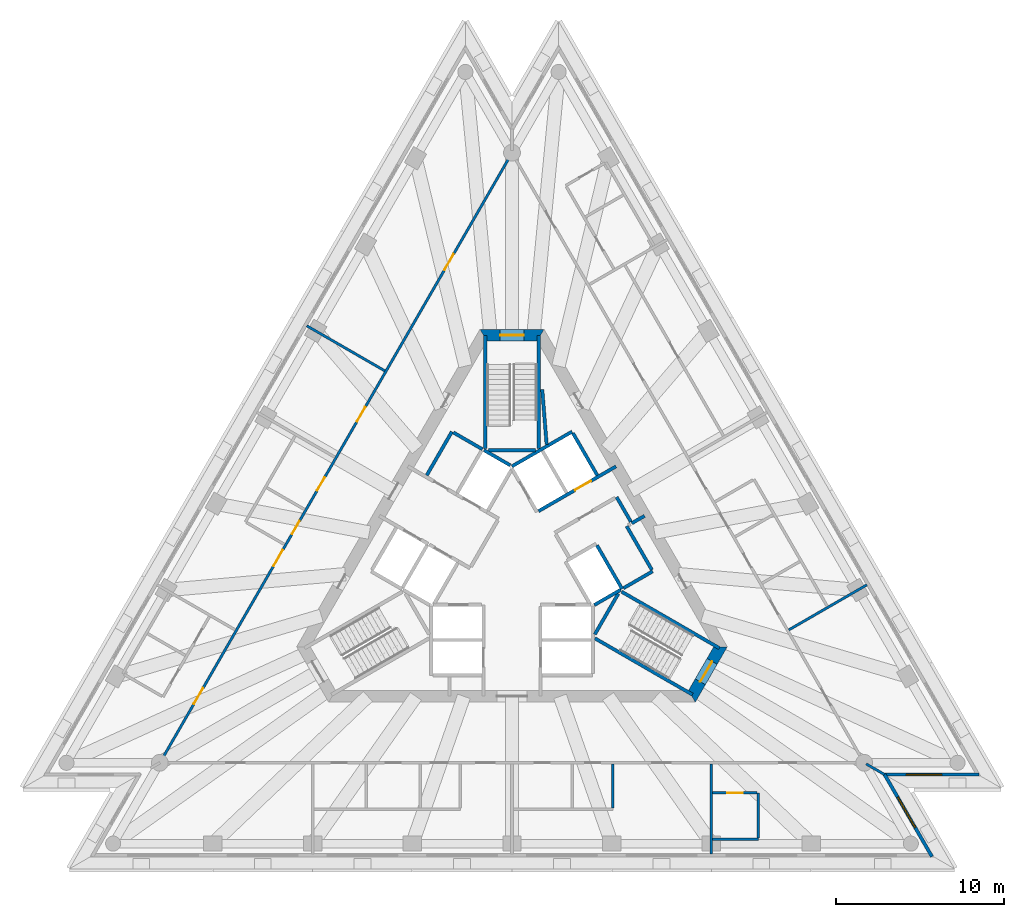
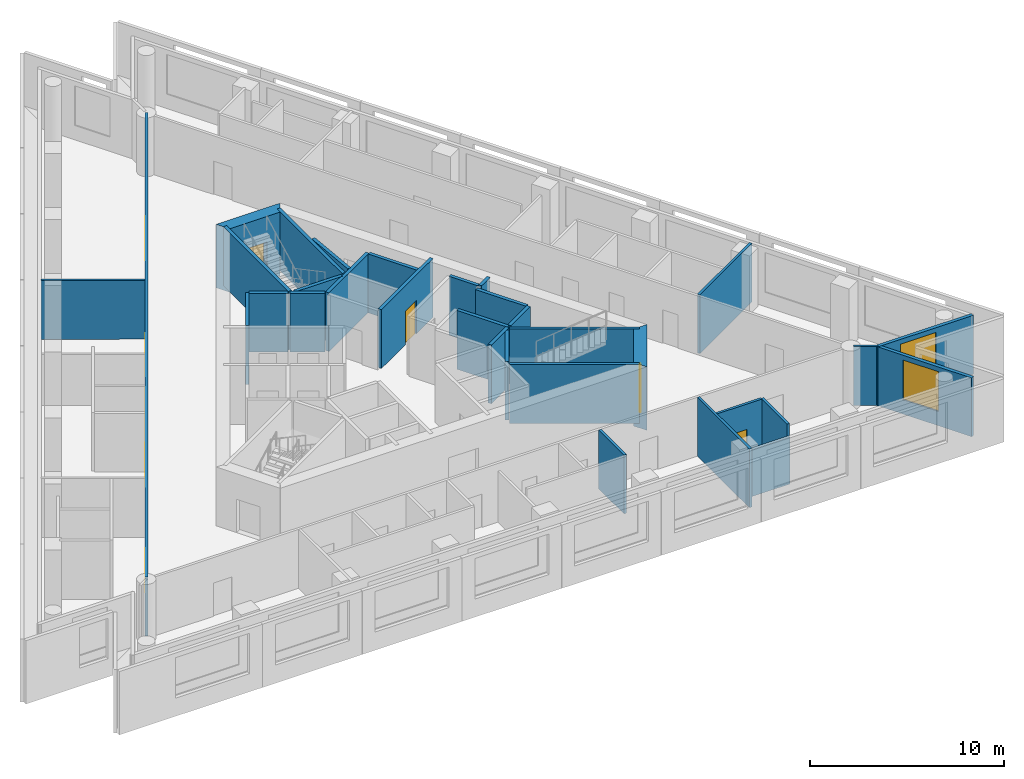
# One storey, part 5 of 9: 32 walls, 10 doors, 2 windows, 12 openings.
"""IFC4 building model written with IfcOpenShell, lengths in metres."""

from ifc_helpers import new_model, si_unit, direction, frame, frame_2d, origin, place, context, subcontext, project, spatial, polyline, rectangle, outline, extrude, material, layer, layer_set, layer_usage, type_object, element, fill, save


model = new_model("IFC4")

# Units and contexts
model_context = context("Model", 3, precision=1e-05, world=origin(), true_north=direction((0.0, 1.0)))
body_context = subcontext(model_context, "Body", "Model", "MODEL_VIEW")
ifc_project = project(units=[si_unit("LENGTHUNIT", "METRE"), si_unit("AREAUNIT", "SQUARE_METRE"), si_unit("VOLUMEUNIT", "CUBIC_METRE"), si_unit("PLANEANGLEUNIT", "RADIAN"), si_unit("MASSUNIT", "GRAM", prefix="KILO")], contexts=[model_context])

# Site, building, storey
site_placement = place(None, origin())
site = spatial("IfcSite", under=ifc_project, at=site_placement, CompositionType="ELEMENT")
building_placement = place(site_placement, origin())
building = spatial("IfcBuilding", under=site, at=building_placement, Name="Triada Interchange Tower", CompositionType="ELEMENT")
storey_placement = place(building_placement, frame((0.0, 0.0, 227.300048828125)))
storey = spatial("IfcBuildingStorey", under=building, at=storey_placement, Name="L53", CompositionType="ELEMENT", Elevation=227.300048828125)

# Wall
ifc_material_1 = material(Name="Concrete C30/37", Category="concrete")
ifc_layer_1 = layer(ifc_material_1, 0.199951171875)
ifc_layer_set_1 = layer_set([ifc_layer_1], Name="CORE WALL 200 EI 120")
wall_type_1 = type_object("IfcWallType", Name="CORE WALL 200 EI 120", PredefinedType="SOLIDWALL", material=ifc_layer_set_1)
wall_1_placement = place(storey_placement, frame((-0.001953125, 5.541015625, 0.0), z_axis=(0.0, 0.0, 1.0), x_axis=(0.86600155993, 0.500041296494, 0.0)))
element("IfcWall", 1, at=wall_1_placement, inside=storey, type_object=wall_type_1, Name="Wall L53 52", PredefinedType="SOLIDWALL", context=body_context, shape_type="SweptSolid", body=[
    extrude(rectangle(XDim=4.131591796875, YDim=0.199951171875, at=frame_2d((2.06591796875, 0.0))), origin(), (0.0, 0.0, 1.0), 3.699951171875),
])

# Wall, opening, door
wall_2_placement = place(storey_placement, frame((1.577880859375, 2.8740234375, 0.0), z_axis=(0.0, 0.0, 1.0), x_axis=(0.866045911672, 0.499964477614, 0.0)))
wall_2 = element("IfcWall", 2, at=wall_2_placement, inside=storey, type_object=wall_type_1, Name="Wall L53 55", PredefinedType="SOLIDWALL", context=body_context, shape_type="SweptSolid", body=[
    extrude(rectangle(XDim=5.32666015625, YDim=0.199951171875, at=frame_2d((2.663330078125, 0.0))), origin(), (0.0, 0.0, 1.0), 3.699951171875),
])
opening_1_placement = place(wall_2_placement, frame((2.49609375, 0.0, 0.0)))
opening_1 = element("IfcOpeningElement", 3, at=opening_1_placement, cuts=wall_2, Name="Opening LD-HR6", PredefinedType="OPENING", context=body_context, shape_type="SweptSolid", body=[
    extrude(rectangle(XDim=1.10009765625, YDim=2.10009765625, at=frame_2d((0.550048828125, 1.050048828125))), frame((0.0, 0.10986328125, 0.0), z_axis=(0.0, -1.0, 0.0), x_axis=(1.0, 0.0, 0.0)), (0.0, 0.0, 1.0), 0.219970703125),
])
ifc_material_2 = material(Name="Steel S235 door leaf", Category="steel")
door_type_1 = type_object("IfcDoorType", Name="LIFT LANDING DOOR 1100 EI 120", OperationType="SLIDING_TO_LEFT", PredefinedType="DOOR", material=ifc_material_2)
door_1_placement = place(opening_1_placement, origin())
door_1 = element("IfcDoor", 4, at=door_1_placement, inside=storey, type_object=door_type_1, Name="HR6 landing door L53", OperationType="SLIDING_TO_LEFT", OverallHeight=2.10009765625, OverallWidth=1.10009765625, PredefinedType="DOOR", context=body_context, shape_type="SweptSolid", body=[
    extrude(rectangle(XDim=1.10009765625, YDim=2.10009765625, at=frame_2d((0.550048828125, 1.050048828125))), frame((0.0, 0.02490234375, 0.0), z_axis=(0.0, -1.0, 0.0), x_axis=(1.0, 0.0, 0.0)), (0.0, 0.0, 1.0), 0.050048828125),
])
fill(opening_1, door_1)

# Walls
wall_3_placement = place(storey_placement, frame((7.12890625, 2.153076171875, 0.0), z_axis=(0.0, 0.0, 1.0), x_axis=(0.866083962871, 0.499898558967, 0.0)))
element("IfcWall", 5, at=wall_3_placement, inside=storey, type_object=wall_type_1, Name="Wall L53 59", PredefinedType="SOLIDWALL", context=body_context, shape_type="SweptSolid", body=[
    extrude(rectangle(XDim=0.880126953125, YDim=0.199951171875, at=frame_2d((0.43994140625, 0.0))), origin(), (0.0, 0.0, 1.0), 3.699951171875),
])
wall_4_placement = place(storey_placement, frame((3.6259765625, 7.52001953125, 0.0), z_axis=(0.0, 0.0, 1.0), x_axis=(0.500060147554, -0.865990674793, 0.0)))
element("IfcWall", 6, at=wall_4_placement, inside=storey, type_object=wall_type_1, Name="Wall L53 60", PredefinedType="SOLIDWALL", context=body_context, shape_type="SweptSolid", body=[
    extrude(rectangle(XDim=2.899658203125, YDim=0.199951171875, at=frame_2d((1.44970703125, 0.0))), origin(), (0.0, 0.0, 1.0), 3.699951171875),
])
wall_5_placement = place(storey_placement, frame((5.056884765625, 0.841064453125, 0.0), z_axis=(0.0, 0.0, 1.0), x_axis=(0.499990139034, -0.866031096941, 0.0)))
element("IfcWall", 7, at=wall_5_placement, inside=storey, type_object=wall_type_1, Name="Wall L53 62", PredefinedType="SOLIDWALL", context=body_context, shape_type="SweptSolid", body=[
    extrude(rectangle(XDim=3.0, YDim=0.199951171875, at=frame_2d((1.5, 0.0))), origin(), (0.0, 0.0, 1.0), 3.699951171875),
])
wall_6_placement = place(storey_placement, frame((4.89990234375, -2.714111328125, 0.0), z_axis=(0.0, 0.0, 1.0), x_axis=(0.865846928409, 0.500309001083, 0.0)))
element("IfcWall", 8, at=wall_6_placement, inside=storey, type_object=wall_type_1, Name="Wall L53 63", PredefinedType="SOLIDWALL", context=body_context, shape_type="SweptSolid", body=[
    extrude(rectangle(XDim=1.813232421875, YDim=0.199951171875, at=frame_2d((0.90673828125, 0.0))), origin(), (0.0, 0.0, 1.0), 3.699951171875),
])
wall_7_placement = place(storey_placement, frame((6.22900390625, 3.7119140625, 0.0), z_axis=(0.0, 0.0, 1.0), x_axis=(0.499875724984, -0.86609714211, 0.0)))
element("IfcWall", 9, at=wall_7_placement, inside=storey, type_object=wall_type_1, Name="Wall L53 64", PredefinedType="SOLIDWALL", context=body_context, shape_type="SweptSolid", body=[
    extrude(rectangle(XDim=1.70068359375, YDim=0.199951171875, at=frame_2d((0.850341796875, 0.0))), origin(), (0.0, 0.0, 1.0), 3.699951171875),
])
ifc_layer_2 = layer(ifc_material_1, 0.199951171875)
ifc_layer_set_2 = layer_set([ifc_layer_2], Name="CORE WALL 200 EI 180")
wall_type_2 = type_object("IfcWallType", Name="CORE WALL 200 EI 180", PredefinedType="SOLIDWALL", material=ifc_layer_set_2)
wall_8_placement = place(storey_placement, frame((-5.075927734375, 5.009033203125, 0.0), z_axis=(0.0, 0.0, 1.0), x_axis=(0.50002537861, 0.866010750942, 0.0)))
element("IfcWall", 10, at=wall_8_placement, inside=storey, type_object=wall_type_2, Name="Wall L53 71", PredefinedType="SOLIDWALL", context=body_context, shape_type="SweptSolid", body=[
    extrude(rectangle(XDim=2.999755859375, YDim=0.199951171875, at=frame_2d((1.5, 0.0))), origin(), (0.0, 0.0, 1.0), 3.699951171875),
])
wall_9_placement = place(storey_placement, frame((-3.489013671875, 7.556884765625, 0.0), z_axis=(0.0, 0.0, 1.0), x_axis=(0.866010750942, -0.50002537861, 0.0)))
element("IfcWall", 11, at=wall_9_placement, inside=storey, type_object=wall_type_2, Name="Wall L53 72", PredefinedType="SOLIDWALL", context=body_context, shape_type="SweptSolid", body=[
    extrude(rectangle(XDim=2.0, YDim=0.199951171875, at=frame_2d((1.0, 0.0))), origin(), (0.0, 0.0, 1.0), 3.699951171875),
])
wall_10_placement = place(storey_placement, frame((-1.669921875, 6.507080078125, 0.0), z_axis=(0.0, 0.0, 1.0), x_axis=(0.865941441609, -0.500145398563, 0.0)))
element("IfcWall", 12, at=wall_10_placement, inside=storey, type_object=wall_type_2, Name="Shaft wall FF2 L53 80", PredefinedType="SOLIDWALL", context=body_context, shape_type="SweptSolid", body=[
    extrude(rectangle(XDim=1.8154296875, YDim=0.199951171875, at=frame_2d((0.90771484375, 0.0))), origin(), (0.0, 0.0, 1.0), 3.699951171875),
])
ifc_layer_3 = layer(ifc_material_1, 0.199951171875)
ifc_layer_set_3 = layer_set([ifc_layer_3], Name="CORE WALL 200 EI 90")
wall_type_3 = type_object("IfcWallType", Name="CORE WALL 200 EI 90", PredefinedType="SOLIDWALL", material=ifc_layer_set_3)
wall_11_placement = place(storey_placement, frame((1.800048828125, 10.115966796875, 0.0), z_axis=(0.0, 0.0, 1.0), x_axis=(0.079902085418, -0.996802717064, 0.0)))
element("IfcWall", 13, at=wall_11_placement, inside=storey, type_object=wall_type_3, Name="Wall L53 83", PredefinedType="SOLIDWALL", context=body_context, shape_type="SweptSolid", body=[
    extrude(rectangle(XDim=3.278564453125, YDim=0.199951171875, at=frame_2d((1.63916015625, 0.0))), origin(), (0.0, 0.0, 1.0), 3.699951171875),
])
wall_12_placement = place(storey_placement, frame((6.64208984375, -1.7080078125, 0.0), z_axis=(0.0, 0.0, 1.0), x_axis=(0.866043441391, 0.499968756647, 0.0)))
element("IfcWall", 14, at=wall_12_placement, inside=storey, type_object=wall_type_3, Name="Wall L53 84", PredefinedType="SOLIDWALL", context=body_context, shape_type="SweptSolid", body=[
    extrude(rectangle(XDim=2.002197265625, YDim=0.199951171875, at=frame_2d((1.0009765625, 0.0))), origin(), (0.0, 0.0, 1.0), 3.699951171875),
])
wall_13_placement = place(storey_placement, frame((6.825927734375, 1.97802734375, 0.0), z_axis=(0.0, 0.0, 1.0), x_axis=(0.499990139034, -0.866031096941, 0.0)))
element("IfcWall", 15, at=wall_13_placement, inside=storey, type_object=wall_type_3, Name="Wall L53 85", PredefinedType="SOLIDWALL", context=body_context, shape_type="SweptSolid", body=[
    extrude(rectangle(XDim=3.0, YDim=0.199951171875, at=frame_2d((1.5, 0.0))), origin(), (0.0, 0.0, 1.0), 3.699951171875),
])
ifc_layer_4 = layer(ifc_material_1, 0.199951171875)
ifc_layer_set_4 = layer_set([ifc_layer_4], Name="CORE WALL 200 REI 240")
wall_type_4 = type_object("IfcWallType", Name="CORE WALL 200 REI 240", PredefinedType="SOLIDWALL", material=ifc_layer_set_4)
wall_14_placement = place(storey_placement, frame((1.60009765625, 6.614990234375, 0.0), z_axis=(0.0, 0.0, 1.0), x_axis=(0.0, 1.0, 0.0)))
element("IfcWall", 16, at=wall_14_placement, inside=storey, type_object=wall_type_4, Name="Wall L53 90", PredefinedType="SOLIDWALL", context=body_context, shape_type="SweptSolid", body=[
    extrude(rectangle(XDim=6.715087890625, YDim=0.199951171875, at=frame_2d((3.357421875, 0.0))), origin(), (0.0, 0.0, 1.0), 3.699951171875),
])
wall_15_placement = place(storey_placement, frame((-1.39990234375, 6.5, 0.0), z_axis=(0.0, 0.0, 1.0), x_axis=(1.0, 0.0, 0.0)))
element("IfcWall", 17, at=wall_15_placement, inside=storey, type_object=wall_type_4, Name="Wall L53 91", PredefinedType="SOLIDWALL", context=body_context, shape_type="SweptSolid", body=[
    extrude(rectangle(XDim=2.7998046875, YDim=0.199951171875, at=frame_2d((1.39990234375, 0.0))), origin(), (0.0, 0.0, 1.0), 3.699951171875),
])
wall_16_placement = place(storey_placement, frame((-1.60009765625, 6.614990234375, 0.0), z_axis=(0.0, 0.0, 1.0), x_axis=(0.0, 1.0, 0.0)))
element("IfcWall", 18, at=wall_16_placement, inside=storey, type_object=wall_type_4, Name="Wall L53 92", PredefinedType="SOLIDWALL", context=body_context, shape_type="SweptSolid", body=[
    extrude(rectangle(XDim=6.715087890625, YDim=0.199951171875, at=frame_2d((3.357421875, 0.0))), origin(), (0.0, 0.0, 1.0), 3.699951171875),
])
wall_17_placement = place(storey_placement, frame((4.928955078125, -4.693115234375, 0.0), z_axis=(0.0, 0.0, 1.0), x_axis=(0.865983344943, -0.500072840975, 0.0)))
element("IfcWall", 19, at=wall_17_placement, inside=storey, type_object=wall_type_4, Name="Wall L53 93", PredefinedType="SOLIDWALL", context=body_context, shape_type="SweptSolid", body=[
    extrude(rectangle(XDim=6.71484375, YDim=0.199951171875, at=frame_2d((3.357421875, 0.0))), origin(), (0.0, 0.0, 1.0), 3.699951171875),
])
wall_18_placement = place(storey_placement, frame((4.928955078125, -4.4619140625, 0.0), z_axis=(0.0, 0.0, 1.0), x_axis=(0.500200581029, 0.865909567298, 0.0)))
element("IfcWall", 20, at=wall_18_placement, inside=storey, type_object=wall_type_4, Name="Wall L53 94", PredefinedType="SOLIDWALL", context=body_context, shape_type="SweptSolid", body=[
    extrude(rectangle(XDim=2.799072265625, YDim=0.199951171875, at=frame_2d((1.3994140625, 0.0))), origin(), (0.0, 0.0, 1.0), 3.699951171875),
])
wall_19_placement = place(storey_placement, frame((6.529052734375, -1.922119140625, 0.0), z_axis=(0.0, 0.0, 1.0), x_axis=(0.866046323291, -0.499963764601, 0.0)))
element("IfcWall", 21, at=wall_19_placement, inside=storey, type_object=wall_type_4, Name="Wall L53 95", PredefinedType="SOLIDWALL", context=body_context, shape_type="SweptSolid", body=[
    extrude(rectangle(XDim=6.71435546875, YDim=0.199951171875, at=frame_2d((3.357177734375, 0.0))), origin(), (0.0, 0.0, 1.0), 3.699951171875),
])

# Wall, opening, door
ifc_material_3 = material(Name="Concrete C50/60", Category="concrete")
ifc_layer_5 = layer(ifc_material_3, 0.699951171875)
ifc_layer_set_5 = layer_set([ifc_layer_5], Name="Core wall C 700")
wall_type_5 = type_object("IfcWallType", Name="Core wall C 700", PredefinedType="SHEAR", material=ifc_layer_set_5)
wall_20_placement = place(storey_placement, frame((1.702880859375, 13.35009765625, -0.300048828125), z_axis=(0.0, 0.0, 1.0), x_axis=(-1.0, 0.0, 0.0)))
wall_20 = element("IfcWall", 22, at=wall_20_placement, inside=storey, type_object=wall_type_5, Name="Core wall WC01 L53", PredefinedType="SHEAR", context=body_context, shape_type="SweptSolid", body=[
    extrude(outline(polyline([(-0.201904296875, -0.35009765625), (1.703125, -0.35009765625), (3.60791015625, -0.35009765625), (3.2041015625, 0.35009765625), (1.703125, 0.35009765625), (0.201904296875, 0.35009765625), (-0.201904296875, -0.35009765625)])), origin(), (0.0, 0.0, 1.0), 4.0),
])
opening_2_placement = place(wall_20_placement, frame((1.0029296875, 0.0, 0.300048828125)))
opening_2 = element("IfcOpeningElement", 23, at=opening_2_placement, cuts=wall_20, Name="Opening D53-40", PredefinedType="OPENING", context=body_context, shape_type="SweptSolid", body=[
    extrude(rectangle(XDim=1.39990234375, YDim=2.10009765625, at=frame_2d((0.699951171875, 1.050048828125))), frame((0.0, 0.360107421875, 0.0), z_axis=(0.0, -1.0, 0.0), x_axis=(1.0, 0.0, 0.0)), (0.0, 0.0, 1.0), 0.72021484375),
])
door_type_2 = type_object("IfcDoorType", Name="STAIR DOOR 1400 EI2 90-C5S200", OperationType="DOUBLE_DOOR_SINGLE_SWING", PredefinedType="DOOR", material=ifc_material_2)
door_2_placement = place(opening_2_placement, origin())
door_2 = element("IfcDoor", 24, at=door_2_placement, inside=storey, type_object=door_type_2, Name="Door D53-40 L53", OperationType="DOUBLE_DOOR_SINGLE_SWING", OverallHeight=2.10009765625, OverallWidth=1.39990234375, PredefinedType="DOOR", context=body_context, shape_type="SweptSolid", body=[
    extrude(rectangle(XDim=1.39990234375, YDim=2.10009765625, at=frame_2d((0.699951171875, 1.050048828125))), frame((0.0, 0.02490234375, 0.0), z_axis=(0.0, -1.0, 0.0), x_axis=(1.0, 0.0, 0.0)), (0.0, 0.0, 1.0), 0.050048828125),
])
fill(opening_2, door_2)

wall_21_placement = place(storey_placement, frame((10.7099609375, -8.14990234375, -0.300048828125), z_axis=(0.0, 0.0, 1.0), x_axis=(0.49999337185, 0.866029230515, 0.0)))
wall_21 = element("IfcWall", 25, at=wall_21_placement, inside=storey, type_object=wall_type_5, Name="Core wall WC05 L53", PredefinedType="SHEAR", context=body_context, shape_type="SweptSolid", body=[
    extrude(outline(polyline([(-0.201904296875, -0.35009765625), (1.703125, -0.35009765625), (3.60791015625, -0.35009765625), (3.2041015625, 0.35009765625), (1.703125, 0.35009765625), (0.201904296875, 0.35009765625), (-0.201904296875, -0.35009765625)])), origin(), (0.0, 0.0, 1.0), 4.0),
])
opening_3_placement = place(wall_21_placement, frame((1.0029296875, 0.0, 0.300048828125)))
opening_3 = element("IfcOpeningElement", 26, at=opening_3_placement, cuts=wall_21, Name="Opening D53-42", PredefinedType="OPENING", context=body_context, shape_type="SweptSolid", body=[
    extrude(rectangle(XDim=1.39990234375, YDim=2.10009765625, at=frame_2d((0.699951171875, 1.050048828125))), frame((0.0, 0.360107421875, 0.0), z_axis=(0.0, -1.0, 0.0), x_axis=(1.0, 0.0, 0.0)), (0.0, 0.0, 1.0), 0.72021484375),
])
door_3_placement = place(opening_3_placement, origin())
door_3 = element("IfcDoor", 27, at=door_3_placement, inside=storey, type_object=door_type_2, Name="Door D53-42 L53", OperationType="DOUBLE_DOOR_SINGLE_SWING", OverallHeight=2.10009765625, OverallWidth=1.39990234375, PredefinedType="DOOR", context=body_context, shape_type="SweptSolid", body=[
    extrude(rectangle(XDim=1.39990234375, YDim=2.10009765625, at=frame_2d((0.699951171875, 1.050048828125))), frame((0.0, 0.02490234375, 0.0), z_axis=(0.0, -1.0, 0.0), x_axis=(1.0, 0.0, 0.0)), (0.0, 0.0, 1.0), 0.050048828125),
])
fill(opening_3, door_3)

# Wall, opening, window
ifc_material_4 = material(Name="Cement board")
ifc_layer_6 = layer(ifc_material_4, 0.02001953125, Name="Cement board cladding")
ifc_material_5 = material(Name="Sheathing board")
ifc_layer_7 = layer(ifc_material_5, 0.014892578125, Name="Sheathing board")
ifc_material_6 = material(Name="Mineral wool")
ifc_layer_8 = layer(ifc_material_6, 0.14990234375, Name="Mineral wool between steel studs")
ifc_material_7 = material(Name="Gypsum board")
ifc_layer_9 = layer(ifc_material_7, 0.014892578125, Name="Plasterboard lining")
ifc_layer_set_6 = layer_set([ifc_layer_6, ifc_layer_7, ifc_layer_8, ifc_layer_9], Name="External wall 200")
ifc_layer_usage = layer_usage(ifc_layer_set_6, "AXIS2", "POSITIVE", -0.10009765625)
wall_type_6 = type_object("IfcWallType", Name="External wall 200", PredefinedType="ELEMENTEDWALL", material=ifc_layer_set_6)
wall_22_placement = place(storey_placement, frame((25.00390625, -17.695068359375, 0.0), z_axis=(0.0, 0.0, 1.0), x_axis=(-0.49987899677, 0.866095253761, 0.0)))
wall_22 = element("IfcWall", 28, at=wall_22_placement, inside=storey, type_object=wall_type_6, material=ifc_layer_usage, Name="External wall L53 SE-1", PredefinedType="ELEMENTEDWALL", context=body_context, shape_type="SweptSolid", body=[
    extrude(rectangle(XDim=5.71533203125, YDim=0.199951171875, at=frame_2d((2.857666015625, 0.0))), origin(), (0.0, 0.0, 1.0), 3.699951171875),
])
opening_4_placement = place(wall_22_placement, frame((1.989990234375, 0.0, 0.89990234375)))
opening_4 = element("IfcOpeningElement", 29, at=opening_4_placement, cuts=wall_22, Name="Opening WC19", PredefinedType="OPENING", context=body_context, shape_type="SweptSolid", body=[
    extrude(rectangle(XDim=2.10009765625, YDim=2.5, at=frame_2d((1.050048828125, 1.25))), frame((0.0, 0.10986328125, 0.0), z_axis=(0.0, -1.0, 0.0), x_axis=(1.0, 0.0, 0.0)), (0.0, 0.0, 1.0), 0.219970703125),
])
ifc_material_8 = material(Name="Double glazed aluminium window", Category="aluminium")
window_type = type_object("IfcWindowType", Name="Ribbon window C pocket", PartitioningType="SINGLE_PANEL", PredefinedType="WINDOW", material=ifc_material_8)
window_1_placement = place(opening_4_placement, origin())
window_1 = element("IfcWindow", 30, at=window_1_placement, inside=storey, type_object=window_type, Name="Window L53 SE-1 1", OverallHeight=2.5, OverallWidth=2.10009765625, PartitioningType="SINGLE_PANEL", PredefinedType="WINDOW", context=body_context, shape_type="SweptSolid", body=[
    extrude(rectangle(XDim=2.10009765625, YDim=2.5, at=frame_2d((1.050048828125, 1.25))), frame((0.0, 0.030029296875, 0.0), z_axis=(0.0, -1.0, 0.0), x_axis=(1.0, 0.0, 0.0)), (0.0, 0.0, 1.0), 0.06005859375),
])
fill(opening_4, window_1)

wall_23_placement = place(storey_placement, frame((22.092041015625, -12.805908203125, 0.0), z_axis=(0.0, 0.0, 1.0), x_axis=(1.0, 0.0, 0.0)))
wall_23 = element("IfcWall", 31, at=wall_23_placement, inside=storey, type_object=wall_type_6, material=ifc_layer_usage, Name="External wall L53 SE-2", PredefinedType="ELEMENTEDWALL", context=body_context, shape_type="SweptSolid", body=[
    extrude(rectangle(XDim=5.71484375, YDim=0.199951171875, at=frame_2d((2.857421875, 0.0))), origin(), (0.0, 0.0, 1.0), 3.699951171875),
])
opening_5_placement = place(wall_23_placement, frame((1.389892578125, 0.0, 0.89990234375)))
opening_5 = element("IfcOpeningElement", 32, at=opening_5_placement, cuts=wall_23, Name="Opening WC20", PredefinedType="OPENING", context=body_context, shape_type="SweptSolid", body=[
    extrude(rectangle(XDim=2.10009765625, YDim=2.5, at=frame_2d((1.050048828125, 1.25))), frame((0.0, 0.10986328125, 0.0), z_axis=(0.0, -1.0, 0.0), x_axis=(1.0, 0.0, 0.0)), (0.0, 0.0, 1.0), 0.219970703125),
])
window_2_placement = place(opening_5_placement, origin())
window_2 = element("IfcWindow", 33, at=window_2_placement, inside=storey, type_object=window_type, Name="Window L53 SE-2 1", OverallHeight=2.5, OverallWidth=2.10009765625, PartitioningType="SINGLE_PANEL", PredefinedType="WINDOW", context=body_context, shape_type="SweptSolid", body=[
    extrude(rectangle(XDim=2.10009765625, YDim=2.5, at=frame_2d((1.050048828125, 1.25))), frame((0.0, 0.030029296875, 0.0), z_axis=(0.0, -1.0, 0.0), x_axis=(1.0, 0.0, 0.0)), (0.0, 0.0, 1.0), 0.06005859375),
])
fill(opening_5, window_2)

# Wall, openings, doors
ifc_material_9 = material(Name="Gypsum board partition")
ifc_layer_10 = layer(ifc_material_9, 0.14990234375)
ifc_layer_set_7 = layer_set([ifc_layer_10], Name="PARTITION 150 EI 180")
wall_type_7 = type_object("IfcWallType", Name="PARTITION 150 EI 180", PredefinedType="PARTITIONING", material=ifc_layer_set_7)
wall_24_placement = place(storey_placement, frame((-20.882080078125, -11.968994140625, 0.0), z_axis=(0.0, 0.0, 1.0), x_axis=(0.499998738735, 0.866026131975, 0.0)))
wall_24 = element("IfcWall", 34, at=wall_24_placement, inside=storey, type_object=wall_type_7, Name="Wall L53 4", PredefinedType="PARTITIONING", context=body_context, shape_type="SweptSolid", body=[
    extrude(rectangle(XDim=41.76416015625, YDim=0.14990234375, at=frame_2d((20.882080078125, 0.0))), origin(), (0.0, 0.0, 1.0), 3.699951171875),
])
opening_6_placement = place(wall_24_placement, frame((33.714111328125, 0.0, 0.0)))
opening_6 = element("IfcOpeningElement", 35, at=opening_6_placement, cuts=wall_24, Name="Opening D53-31", PredefinedType="OPENING", context=body_context, shape_type="SweptSolid", body=[
    extrude(rectangle(XDim=1.10009765625, YDim=2.10009765625, at=frame_2d((0.550048828125, 1.050048828125))), frame((0.0, 0.0849609375, 0.0), z_axis=(0.0, -1.0, 0.0), x_axis=(1.0, 0.0, 0.0)), (0.0, 0.0, 1.0), 0.169921875),
])
opening_7_placement = place(wall_24_placement, frame((23.29296875, 0.0, 0.0)))
opening_7 = element("IfcOpeningElement", 36, at=opening_7_placement, cuts=wall_24, Name="Opening D53-32", PredefinedType="OPENING", context=body_context, shape_type="SweptSolid", body=[
    extrude(rectangle(XDim=1.0, YDim=2.10009765625, at=frame_2d((0.5, 1.050048828125))), frame((0.0, 0.0849609375, 0.0), z_axis=(0.0, -1.0, 0.0), x_axis=(1.0, 0.0, 0.0)), (0.0, 0.0, 1.0), 0.169921875),
])
opening_8_placement = place(wall_24_placement, frame((13.35595703125, 0.0, 0.0)))
opening_8 = element("IfcOpeningElement", 37, at=opening_8_placement, cuts=wall_24, Name="Opening D53-33", PredefinedType="OPENING", context=body_context, shape_type="SweptSolid", body=[
    extrude(rectangle(XDim=1.10009765625, YDim=2.10009765625, at=frame_2d((0.550048828125, 1.050048828125))), frame((0.0, 0.0849609375, 0.0), z_axis=(0.0, -1.0, 0.0), x_axis=(1.0, 0.0, 0.0)), (0.0, 0.0, 1.0), 0.169921875),
])
opening_9_placement = place(wall_24_placement, frame((18.555908203125, 0.0, 0.0)))
opening_9 = element("IfcOpeningElement", 38, at=opening_9_placement, cuts=wall_24, Name="Opening D53-34", PredefinedType="OPENING", context=body_context, shape_type="SweptSolid", body=[
    extrude(rectangle(XDim=0.89990234375, YDim=2.10009765625, at=frame_2d((0.449951171875, 1.050048828125))), frame((0.0, 0.0849609375, 0.0), z_axis=(0.0, -1.0, 0.0), x_axis=(1.0, 0.0, 0.0)), (0.0, 0.0, 1.0), 0.169921875),
])
opening_10_placement = place(wall_24_placement, frame((15.555908203125, 0.0, 0.0)))
opening_10 = element("IfcOpeningElement", 39, at=opening_10_placement, cuts=wall_24, Name="Opening D53-35", PredefinedType="OPENING", context=body_context, shape_type="SweptSolid", body=[
    extrude(rectangle(XDim=0.89990234375, YDim=2.10009765625, at=frame_2d((0.449951171875, 1.050048828125))), frame((0.0, 0.0849609375, 0.0), z_axis=(0.0, -1.0, 0.0), x_axis=(1.0, 0.0, 0.0)), (0.0, 0.0, 1.0), 0.169921875),
])
opening_11_placement = place(wall_24_placement, frame((3.883056640625, 0.0, 0.0)))
opening_11 = element("IfcOpeningElement", 40, at=opening_11_placement, cuts=wall_24, Name="Opening D53-36", PredefinedType="OPENING", context=body_context, shape_type="SweptSolid", body=[
    extrude(rectangle(XDim=1.10009765625, YDim=2.10009765625, at=frame_2d((0.550048828125, 1.050048828125))), frame((0.0, 0.0849609375, 0.0), z_axis=(0.0, -1.0, 0.0), x_axis=(1.0, 0.0, 0.0)), (0.0, 0.0, 1.0), 0.169921875),
])
door_type_3 = type_object("IfcDoorType", Name="ROOM DOOR 1000 EI2 90-C5S200", OperationType="NOTDEFINED", PredefinedType="DOOR", material=ifc_material_2)
door_4_placement = place(opening_7_placement, origin())
door_4 = element("IfcDoor", 41, at=door_4_placement, inside=storey, type_object=door_type_3, Name="Door D53-32 L53", OperationType="SINGLE_SWING_LEFT", OverallHeight=2.10009765625, OverallWidth=1.0, PredefinedType="DOOR", context=body_context, shape_type="SweptSolid", body=[
    extrude(rectangle(XDim=1.0, YDim=2.10009765625, at=frame_2d((0.5, 1.050048828125))), frame((0.0, 0.02490234375, 0.0), z_axis=(0.0, -1.0, 0.0), x_axis=(1.0, 0.0, 0.0)), (0.0, 0.0, 1.0), 0.050048828125),
])
fill(opening_7, door_4)
door_type_4 = type_object("IfcDoorType", Name="ROOM DOOR 900 EI2 90-C5S200", OperationType="NOTDEFINED", PredefinedType="DOOR", material=ifc_material_2)
door_5_placement = place(opening_9_placement, origin())
door_5 = element("IfcDoor", 42, at=door_5_placement, inside=storey, type_object=door_type_4, Name="Door D53-34 L53", OperationType="SINGLE_SWING_LEFT", OverallHeight=2.10009765625, OverallWidth=0.89990234375, PredefinedType="DOOR", context=body_context, shape_type="SweptSolid", body=[
    extrude(rectangle(XDim=0.89990234375, YDim=2.10009765625, at=frame_2d((0.449951171875, 1.050048828125))), frame((0.0, 0.02490234375, 0.0), z_axis=(0.0, -1.0, 0.0), x_axis=(1.0, 0.0, 0.0)), (0.0, 0.0, 1.0), 0.050048828125),
])
fill(opening_9, door_5)
door_6_placement = place(opening_10_placement, origin())
door_6 = element("IfcDoor", 43, at=door_6_placement, inside=storey, type_object=door_type_4, Name="Door D53-35 L53", OperationType="SINGLE_SWING_RIGHT", OverallHeight=2.10009765625, OverallWidth=0.89990234375, PredefinedType="DOOR", context=body_context, shape_type="SweptSolid", body=[
    extrude(rectangle(XDim=0.89990234375, YDim=2.10009765625, at=frame_2d((0.449951171875, 1.050048828125))), frame((0.0, 0.02490234375, 0.0), z_axis=(0.0, -1.0, 0.0), x_axis=(1.0, 0.0, 0.0)), (0.0, 0.0, 1.0), 0.050048828125),
])
fill(opening_10, door_6)
door_type_5 = type_object("IfcDoorType", Name="TENANCY ENTRANCE DOOR 1100 EI2 90-C5S200", OperationType="NOTDEFINED", PredefinedType="DOOR", material=ifc_material_2)
door_7_placement = place(opening_6_placement, origin())
door_7 = element("IfcDoor", 44, at=door_7_placement, inside=storey, type_object=door_type_5, Name="Door D53-31 L53", OperationType="SINGLE_SWING_RIGHT", OverallHeight=2.10009765625, OverallWidth=1.10009765625, PredefinedType="DOOR", context=body_context, shape_type="SweptSolid", body=[
    extrude(rectangle(XDim=1.10009765625, YDim=2.10009765625, at=frame_2d((0.550048828125, 1.050048828125))), frame((0.0, 0.02490234375, 0.0), z_axis=(0.0, -1.0, 0.0), x_axis=(1.0, 0.0, 0.0)), (0.0, 0.0, 1.0), 0.050048828125),
])
fill(opening_6, door_7)
door_8_placement = place(opening_8_placement, origin())
door_8 = element("IfcDoor", 45, at=door_8_placement, inside=storey, type_object=door_type_5, Name="Door D53-33 L53", OperationType="SINGLE_SWING_LEFT", OverallHeight=2.10009765625, OverallWidth=1.10009765625, PredefinedType="DOOR", context=body_context, shape_type="SweptSolid", body=[
    extrude(rectangle(XDim=1.10009765625, YDim=2.10009765625, at=frame_2d((0.550048828125, 1.050048828125))), frame((0.0, 0.02490234375, 0.0), z_axis=(0.0, -1.0, 0.0), x_axis=(1.0, 0.0, 0.0)), (0.0, 0.0, 1.0), 0.050048828125),
])
fill(opening_8, door_8)
door_9_placement = place(opening_11_placement, origin())
door_9 = element("IfcDoor", 46, at=door_9_placement, inside=storey, type_object=door_type_5, Name="Door D53-36 L53", OperationType="SINGLE_SWING_LEFT", OverallHeight=2.10009765625, OverallWidth=1.10009765625, PredefinedType="DOOR", context=body_context, shape_type="SweptSolid", body=[
    extrude(rectangle(XDim=1.10009765625, YDim=2.10009765625, at=frame_2d((0.550048828125, 1.050048828125))), frame((0.0, 0.02490234375, 0.0), z_axis=(0.0, -1.0, 0.0), x_axis=(1.0, 0.0, 0.0)), (0.0, 0.0, 1.0), 0.050048828125),
])
fill(opening_11, door_9)

# Walls
wall_25_placement = place(storey_placement, frame((21.0859375, -12.175048828125, 0.0), z_axis=(0.0, 0.0, 1.0), x_axis=(0.866143786764, -0.499794898583, 0.0)))
element("IfcWall", 47, at=wall_25_placement, inside=storey, type_object=wall_type_7, Name="Wall L53 7", PredefinedType="PARTITIONING", context=body_context, shape_type="SweptSolid", body=[
    extrude(rectangle(XDim=1.26416015625, YDim=0.14990234375, at=frame_2d((0.632080078125, 0.0))), origin(), (0.0, 0.0, 1.0), 3.699951171875),
])
wall_26_placement = place(storey_placement, frame((-12.218994140625, 13.909912109375, 0.0), z_axis=(0.0, 0.0, 1.0), x_axis=(0.866052151752, -0.499953668299, 0.0)))
element("IfcWall", 48, at=wall_26_placement, inside=storey, type_object=wall_type_7, Name="Wall L53 11", PredefinedType="PARTITIONING", context=body_context, shape_type="SweptSolid", body=[
    extrude(rectangle(XDim=5.3623046875, YDim=0.14990234375, at=frame_2d((2.68115234375, 0.0))), origin(), (0.0, 0.0, 1.0), 3.699951171875),
])
wall_27_placement = place(storey_placement, frame((6.0, -14.783935546875, 0.0), z_axis=(0.0, 0.0, 1.0), x_axis=(0.0, 1.0, 0.0)))
element("IfcWall", 49, at=wall_27_placement, inside=storey, type_object=wall_type_7, Name="Wall L53 21", PredefinedType="PARTITIONING", context=body_context, shape_type="SweptSolid", body=[
    extrude(rectangle(XDim=2.60888671875, YDim=0.14990234375, at=frame_2d((1.304443359375, 0.0))), origin(), (0.0, 0.0, 1.0), 3.699951171875),
])
wall_28_placement = place(storey_placement, frame((11.873046875, -17.537109375, 0.0), z_axis=(0.0, 0.0, 1.0), x_axis=(0.0, 1.0, 0.0)))
element("IfcWall", 50, at=wall_28_placement, inside=storey, type_object=wall_type_7, Name="Wall L53 24", PredefinedType="PARTITIONING", context=body_context, shape_type="SweptSolid", body=[
    extrude(rectangle(XDim=5.362060546875, YDim=0.14990234375, at=frame_2d((2.68115234375, 0.0))), origin(), (0.0, 0.0, 1.0), 3.699951171875),
])
wall_29_placement = place(storey_placement, frame((16.47998046875, -4.195068359375, 0.0), z_axis=(0.0, 0.0, 1.0), x_axis=(0.866032438121, 0.499987815973, 0.0)))
element("IfcWall", 51, at=wall_29_placement, inside=storey, type_object=wall_type_7, Name="Wall L53 29", PredefinedType="PARTITIONING", context=body_context, shape_type="SweptSolid", body=[
    extrude(rectangle(XDim=5.362548828125, YDim=0.14990234375, at=frame_2d((2.68115234375, 0.0))), origin(), (0.0, 0.0, 1.0), 3.699951171875),
])
ifc_layer_11 = layer(ifc_material_9, 0.14990234375)
ifc_layer_set_8 = layer_set([ifc_layer_11], Name="PARTITION 150 EI 90")
wall_type_8 = type_object("IfcWallType", Name="PARTITION 150 EI 90", PredefinedType="PARTITIONING", material=ifc_layer_set_8)
wall_30_placement = place(storey_placement, frame((11.947998046875, -16.658935546875, 0.0), z_axis=(0.0, 0.0, 1.0), x_axis=(1.0, 0.0, 0.0)))
element("IfcWall", 52, at=wall_30_placement, inside=storey, type_object=wall_type_8, Name="Wall L53 39", PredefinedType="PARTITIONING", context=body_context, shape_type="SweptSolid", body=[
    extrude(rectangle(XDim=2.72509765625, YDim=0.14990234375, at=frame_2d((1.362548828125, 0.0))), origin(), (0.0, 0.0, 1.0), 2.949951171875),
])
wall_31_placement = place(storey_placement, frame((14.673095703125, -16.583984375, 0.0), z_axis=(0.0, 0.0, 1.0), x_axis=(0.0, 1.0, 0.0)))
element("IfcWall", 53, at=wall_31_placement, inside=storey, type_object=wall_type_8, Name="Wall L53 40", PredefinedType="PARTITIONING", context=body_context, shape_type="SweptSolid", body=[
    extrude(rectangle(XDim=2.68408203125, YDim=0.14990234375, at=frame_2d((1.342041015625, 0.0))), origin(), (0.0, 0.0, 1.0), 3.699951171875),
])

# Wall, opening, door
wall_32_placement = place(storey_placement, frame((11.947998046875, -13.89990234375, 0.0), z_axis=(0.0, 0.0, 1.0), x_axis=(1.0, 0.0, 0.0)))
wall_32 = element("IfcWall", 54, at=wall_32_placement, inside=storey, type_object=wall_type_8, Name="Wall L53 41", PredefinedType="PARTITIONING", context=body_context, shape_type="SweptSolid", body=[
    extrude(rectangle(XDim=2.64990234375, YDim=0.14990234375, at=frame_2d((1.324951171875, 0.0))), origin(), (0.0, 0.0, 1.0), 3.699951171875),
])
opening_12_placement = place(wall_32_placement, frame((0.875, 0.0, 0.0)))
opening_12 = element("IfcOpeningElement", 55, at=opening_12_placement, cuts=wall_32, Name="Opening D53-20", PredefinedType="OPENING", context=body_context, shape_type="SweptSolid", body=[
    extrude(rectangle(XDim=0.89990234375, YDim=2.10009765625, at=frame_2d((0.449951171875, 1.050048828125))), frame((0.0, 0.0849609375, 0.0), z_axis=(0.0, -1.0, 0.0), x_axis=(1.0, 0.0, 0.0)), (0.0, 0.0, 1.0), 0.169921875),
])
door_type_6 = type_object("IfcDoorType", Name="ROOM DOOR 900 EI2 45-C5S200", OperationType="NOTDEFINED", PredefinedType="DOOR", material=ifc_material_2)
door_10_placement = place(opening_12_placement, origin())
door_10 = element("IfcDoor", 56, at=door_10_placement, inside=storey, type_object=door_type_6, Name="Door D53-20 L53", OperationType="SINGLE_SWING_RIGHT", OverallHeight=2.10009765625, OverallWidth=0.89990234375, PredefinedType="DOOR", context=body_context, shape_type="SweptSolid", body=[
    extrude(rectangle(XDim=0.89990234375, YDim=2.10009765625, at=frame_2d((0.449951171875, 1.050048828125))), frame((0.0, 0.02490234375, 0.0), z_axis=(0.0, -1.0, 0.0), x_axis=(1.0, 0.0, 0.0)), (0.0, 0.0, 1.0), 0.050048828125),
])
fill(opening_12, door_10)

save(model, "model.ifc")
